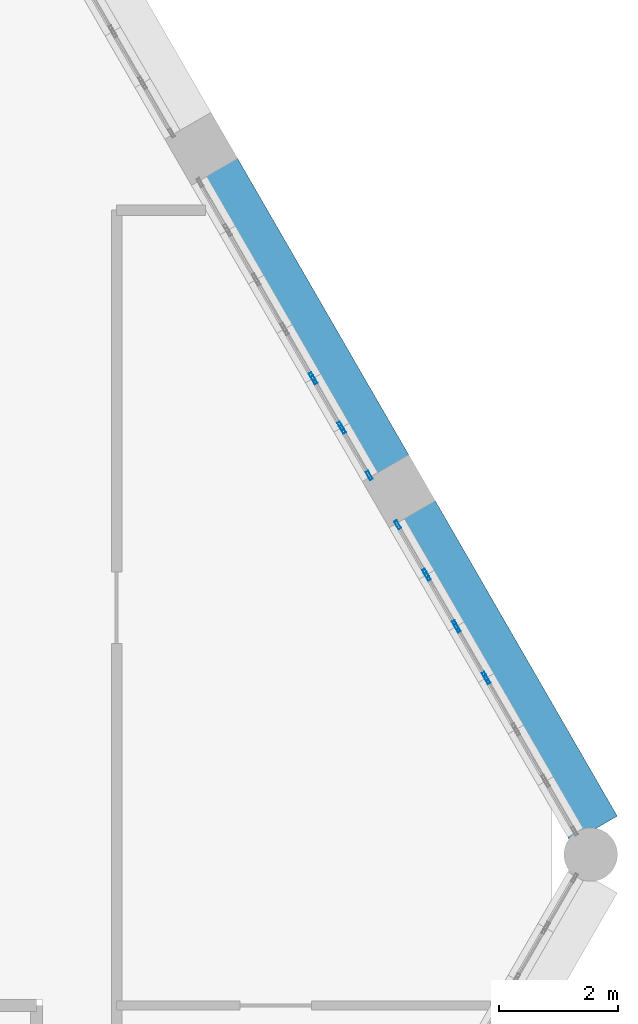
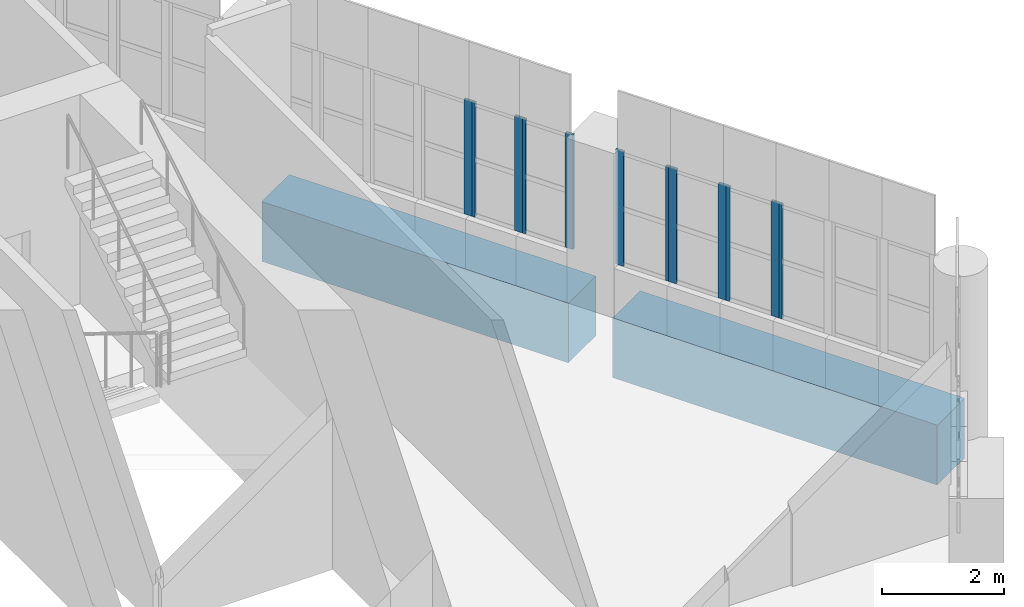
# One storey, part 11 of 25: 12 members, 2 beams, 7 elements without a shape of their own.
"""IFC4 building model written with IfcOpenShell, lengths in metres."""

from ifc_helpers import new_model, si_unit, direction, frame, origin, origin_2d, place, context, subcontext, project, spatial, rectangle, hollow_rectangle, extrude, material, material_profile, profile_set, type_object, element, aggregate, save


model = new_model("IFC4")

# Units and contexts
model_context = context("Model", 3, precision=1e-05, world=origin(), true_north=direction((0.0, 1.0)))
body_context = subcontext(model_context, "Body", "Model", "MODEL_VIEW")
ifc_project = project(units=[si_unit("LENGTHUNIT", "METRE"), si_unit("AREAUNIT", "SQUARE_METRE"), si_unit("VOLUMEUNIT", "CUBIC_METRE"), si_unit("PLANEANGLEUNIT", "RADIAN"), si_unit("MASSUNIT", "GRAM", prefix="KILO")], contexts=[model_context])

# Site, building, storey
site_placement = place(None, origin())
site = spatial("IfcSite", under=ifc_project, at=site_placement, CompositionType="ELEMENT")
building_placement = place(site_placement, origin())
building = spatial("IfcBuilding", under=site, at=building_placement, Name="Ostrander Bayou Hotel Tower", CompositionType="ELEMENT")
storey_placement = place(building_placement, frame((0.0, 0.0, 275.0)))
storey = spatial("IfcBuildingStorey", under=building, at=storey_placement, Name="L68", CompositionType="ELEMENT", Elevation=275.0)

# Curtain wall, member
ifc_material_1 = material(Name="Aluminium and clear glass", Category="aluminium")
curtain_wall_type = type_object("IfcCurtainWallType", Name="CW-CROWN glazed wall", PredefinedType="NOTDEFINED", material=ifc_material_1)
curtain_wall_1_placement = place(storey_placement, origin())
curtain_wall_1 = element("IfcCurtainWall", 1, at=curtain_wall_1_placement, inside=storey, type_object=curtain_wall_type, Name="CW-CROWN L68:NE-1-3", PredefinedType="NOTDEFINED")
ifc_material_2 = material(Name="Aluminium", Category="aluminium")
ifc_material_profile_1 = material_profile(ifc_material_2, hollow_rectangle(XDim=0.050048828125, YDim=0.14990234375, WallThickness=0.00390625, at=origin_2d()))
ifc_profile_set_1 = profile_set([ifc_material_profile_1], Name="Aluminium")
member_type = type_object("IfcMemberType", Name="CW-CR mullion 50 x 150 mm", PredefinedType="MULLION", material=ifc_profile_set_1)
member_1_placement = place(storey_placement, frame((16.740478515625, 1.791748046875, 1.0), z_axis=(0.0, 0.0, 1.0), x_axis=(-0.866044474681, -0.499966966783, 0.0)))
member_1 = element("IfcMember", 2, at=member_1_placement, type_object=member_type, Name="CW-CROWN mullion 2", PredefinedType="MULLION", context=body_context, shape_type="SweptSolid", body=[
    extrude(hollow_rectangle(XDim=0.050048828125, YDim=0.14990234375, WallThickness=0.00390625, at=origin_2d()), origin(), (0.0, 0.0, 1.0), 2.300048828125),
])
aggregate(curtain_wall_1, [member_1])

# Curtain wall, members
curtain_wall_2_placement = place(storey_placement, origin())
curtain_wall_2 = element("IfcCurtainWall", 3, at=curtain_wall_2_placement, inside=storey, type_object=curtain_wall_type, Name="CW-CROWN L68:NE-1-4", PredefinedType="NOTDEFINED")
member_2_placement = place(storey_placement, frame((16.71044921875, 1.84375, 1.0), z_axis=(0.0, 0.0, 1.0), x_axis=(-0.866019551165, -0.500010136897, 0.0)))
member_2 = element("IfcMember", 4, at=member_2_placement, type_object=member_type, Name="CW-CROWN mullion 1", PredefinedType="MULLION", context=body_context, shape_type="SweptSolid", body=[
    extrude(hollow_rectangle(XDim=0.050048828125, YDim=0.14990234375, WallThickness=0.00390625, at=origin_2d()), origin(), (0.0, 0.0, 1.0), 2.300048828125),
])
member_3_placement = place(storey_placement, frame((16.239013671875, 2.660400390625, 1.0), z_axis=(0.0, 0.0, 1.0), x_axis=(-0.866019551165, -0.500010136897, 0.0)))
member_3 = element("IfcMember", 5, at=member_3_placement, type_object=member_type, Name="CW-CROWN mullion 2", PredefinedType="MULLION", context=body_context, shape_type="SweptSolid", body=[
    extrude(hollow_rectangle(XDim=0.050048828125, YDim=0.14990234375, WallThickness=0.00390625, at=origin_2d()), origin(), (0.0, 0.0, 1.0), 2.300048828125),
])
aggregate(curtain_wall_2, [member_2, member_3])

curtain_wall_3_placement = place(storey_placement, origin())
curtain_wall_3 = element("IfcCurtainWall", 6, at=curtain_wall_3_placement, inside=storey, type_object=curtain_wall_type, Name="CW-CROWN L68:NE-1-5", PredefinedType="NOTDEFINED")
member_4_placement = place(storey_placement, frame((16.208984375, 2.712158203125, 1.0), z_axis=(0.0, 0.0, 1.0), x_axis=(-0.866001306597, -0.50004173523, 0.0)))
member_4 = element("IfcMember", 7, at=member_4_placement, type_object=member_type, Name="CW-CROWN mullion 1", PredefinedType="MULLION", context=body_context, shape_type="SweptSolid", body=[
    extrude(hollow_rectangle(XDim=0.050048828125, YDim=0.14990234375, WallThickness=0.00390625, at=origin_2d()), origin(), (0.0, 0.0, 1.0), 2.300048828125),
])
member_5_placement = place(storey_placement, frame((15.7373046875, 3.529052734375, 1.0), z_axis=(0.0, 0.0, 1.0), x_axis=(-0.866001306597, -0.50004173523, 0.0)))
member_5 = element("IfcMember", 8, at=member_5_placement, type_object=member_type, Name="CW-CROWN mullion 2", PredefinedType="MULLION", context=body_context, shape_type="SweptSolid", body=[
    extrude(hollow_rectangle(XDim=0.050048828125, YDim=0.14990234375, WallThickness=0.00390625, at=origin_2d()), origin(), (0.0, 0.0, 1.0), 2.300048828125),
])
aggregate(curtain_wall_3, [member_4, member_5])

curtain_wall_4_placement = place(storey_placement, origin())
curtain_wall_4 = element("IfcCurtainWall", 9, at=curtain_wall_4_placement, inside=storey, type_object=curtain_wall_type, Name="CW-CROWN L68:NE-1-6", PredefinedType="NOTDEFINED")
member_6_placement = place(storey_placement, frame((15.70751953125, 3.5810546875, 1.0), z_axis=(0.0, 0.0, 1.0), x_axis=(-0.866044474681, -0.499966966783, 0.0)))
member_6 = element("IfcMember", 10, at=member_6_placement, type_object=member_type, Name="CW-CROWN mullion 1", PredefinedType="MULLION", context=body_context, shape_type="SweptSolid", body=[
    extrude(hollow_rectangle(XDim=0.050048828125, YDim=0.14990234375, WallThickness=0.00390625, at=origin_2d()), origin(), (0.0, 0.0, 1.0), 2.300048828125),
])
member_7_placement = place(storey_placement, frame((15.23583984375, 4.397705078125, 1.0), z_axis=(0.0, 0.0, 1.0), x_axis=(-0.866044474681, -0.499966966783, 0.0)))
member_7 = element("IfcMember", 11, at=member_7_placement, type_object=member_type, Name="CW-CROWN mullion 2", PredefinedType="MULLION", context=body_context, shape_type="SweptSolid", body=[
    extrude(hollow_rectangle(XDim=0.050048828125, YDim=0.14990234375, WallThickness=0.00390625, at=origin_2d()), origin(), (0.0, 0.0, 1.0), 2.300048828125),
])
aggregate(curtain_wall_4, [member_6, member_7])

curtain_wall_5_placement = place(storey_placement, origin())
curtain_wall_5 = element("IfcCurtainWall", 12, at=curtain_wall_5_placement, inside=storey, type_object=curtain_wall_type, Name="CW-CROWN L68:NE-2-1", PredefinedType="NOTDEFINED")
member_8_placement = place(storey_placement, frame((14.755859375, 5.22900390625, 1.0), z_axis=(0.0, 0.0, 1.0), x_axis=(-0.866022491007, -0.500005045044, 0.0)))
member_8 = element("IfcMember", 13, at=member_8_placement, type_object=member_type, Name="CW-CROWN mullion 1", PredefinedType="MULLION", context=body_context, shape_type="SweptSolid", body=[
    extrude(hollow_rectangle(XDim=0.050048828125, YDim=0.14990234375, WallThickness=0.00390625, at=origin_2d()), origin(), (0.0, 0.0, 1.0), 2.300048828125),
])
member_9_placement = place(storey_placement, frame((14.305908203125, 6.00830078125, 1.0), z_axis=(0.0, 0.0, 1.0), x_axis=(-0.866022491007, -0.500005045044, 0.0)))
member_9 = element("IfcMember", 14, at=member_9_placement, type_object=member_type, Name="CW-CROWN mullion 2", PredefinedType="MULLION", context=body_context, shape_type="SweptSolid", body=[
    extrude(hollow_rectangle(XDim=0.050048828125, YDim=0.14990234375, WallThickness=0.00390625, at=origin_2d()), origin(), (0.0, 0.0, 1.0), 2.300048828125),
])
aggregate(curtain_wall_5, [member_8, member_9])

curtain_wall_6_placement = place(storey_placement, origin())
curtain_wall_6 = element("IfcCurtainWall", 15, at=curtain_wall_6_placement, inside=storey, type_object=curtain_wall_type, Name="CW-CROWN L68:NE-2-2", PredefinedType="NOTDEFINED")
member_10_placement = place(storey_placement, frame((14.27587890625, 6.060302734375, 1.0), z_axis=(0.0, 0.0, 1.0), x_axis=(-0.866022491007, -0.500005045044, 0.0)))
member_10 = element("IfcMember", 16, at=member_10_placement, type_object=member_type, Name="CW-CROWN mullion 1", PredefinedType="MULLION", context=body_context, shape_type="SweptSolid", body=[
    extrude(hollow_rectangle(XDim=0.050048828125, YDim=0.14990234375, WallThickness=0.00390625, at=origin_2d()), origin(), (0.0, 0.0, 1.0), 2.300048828125),
])
member_11_placement = place(storey_placement, frame((13.826171875, 6.839599609375, 1.0), z_axis=(0.0, 0.0, 1.0), x_axis=(-0.866022491007, -0.500005045044, 0.0)))
member_11 = element("IfcMember", 17, at=member_11_placement, type_object=member_type, Name="CW-CROWN mullion 2", PredefinedType="MULLION", context=body_context, shape_type="SweptSolid", body=[
    extrude(hollow_rectangle(XDim=0.050048828125, YDim=0.14990234375, WallThickness=0.00390625, at=origin_2d()), origin(), (0.0, 0.0, 1.0), 2.300048828125),
])
aggregate(curtain_wall_6, [member_10, member_11])

# Curtain wall, member
curtain_wall_7_placement = place(storey_placement, origin())
curtain_wall_7 = element("IfcCurtainWall", 18, at=curtain_wall_7_placement, inside=storey, type_object=curtain_wall_type, Name="CW-CROWN L68:NE-2-3", PredefinedType="NOTDEFINED")
member_12_placement = place(storey_placement, frame((13.796142578125, 6.8916015625, 1.0), z_axis=(0.0, 0.0, 1.0), x_axis=(-0.866048535364, -0.499959932788, 0.0)))
member_12 = element("IfcMember", 19, at=member_12_placement, type_object=member_type, Name="CW-CROWN mullion 1", PredefinedType="MULLION", context=body_context, shape_type="SweptSolid", body=[
    extrude(hollow_rectangle(XDim=0.050048828125, YDim=0.14990234375, WallThickness=0.00390625, at=origin_2d()), origin(), (0.0, 0.0, 1.0), 2.300048828125),
])
aggregate(curtain_wall_7, [member_12])

# Beams
ifc_material_3 = material(Name="Concrete f'c 60 MPa", Category="concrete")
ifc_material_profile_2 = material_profile(ifc_material_3, rectangle(XDim=0.89990234375, YDim=1.199951171875, at=origin_2d()))
ifc_profile_set_2 = profile_set([ifc_material_profile_2], Name="Concrete f'c 60 MPa")
beam_type = type_object("IfcBeamType", Name="SP4 spandrel beam 900 x 1200 mm f'c 60 MPa", PredefinedType="SPANDREL", material=ifc_profile_set_2)
beam_1_placement = place(storey_placement, frame((18.54541015625, -0.734619140625, -0.60009765625), z_axis=(-0.499984362083, 0.866034432152, 0.0), x_axis=(-0.866034432152, -0.499984362083, 0.0)))
element("IfcBeam", 20, at=beam_1_placement, inside=storey, type_object=beam_type, Name="SP4 L68 NE-1", PredefinedType="SPANDREL", context=body_context, shape_type="SweptSolid", body=[
    extrude(rectangle(XDim=0.89990234375, YDim=1.199951171875, at=origin_2d()), origin(), (0.0, 0.0, 1.0), 6.159423828125),
])
beam_2_placement = place(storey_placement, frame((15.045654296875, 5.3271484375, -0.60009765625), z_axis=(-0.499997265274, 0.866026982673, 0.0), x_axis=(-0.866026982673, -0.499997265274, 0.0)))
element("IfcBeam", 21, at=beam_2_placement, inside=storey, type_object=beam_type, Name="SP4 L68 NE-2", PredefinedType="SPANDREL", context=body_context, shape_type="SweptSolid", body=[
    extrude(rectangle(XDim=0.89990234375, YDim=1.199951171875, at=origin_2d()), origin(), (0.0, 0.0, 1.0), 5.81884765625),
])

save(model, "model.ifc")
